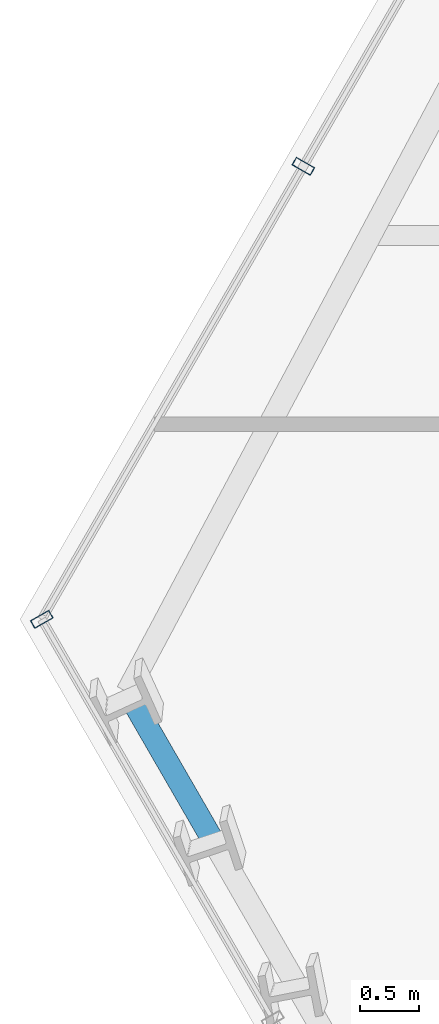
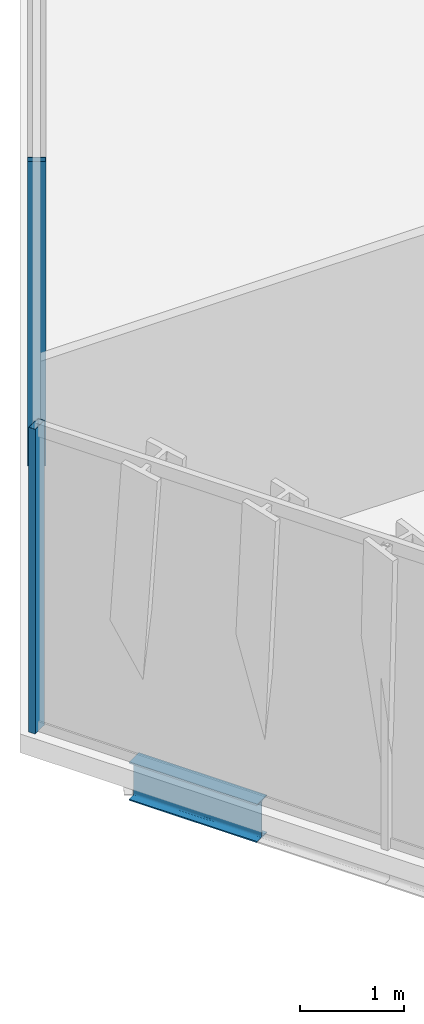
# One storey, part 5 of 31: 2 members, 1 beam, 2 elements without a shape of their own.
"""IFC4 building model written with IfcOpenShell, lengths in metres."""

from ifc_helpers import new_model, si_unit, direction, frame, origin, origin_2d, place, context, subcontext, project, spatial, hollow_rectangle, i_section, extrude, material, layer, layer_set, material_profile, profile_set, type_object, element, aggregate, save


model = new_model("IFC4")

# Units and contexts
model_context = context("Model", 3, precision=1e-05, world=origin(), true_north=direction((0.0, 1.0)))
body_context = subcontext(model_context, "Body", "Model", "MODEL_VIEW")
ifc_project = project(units=[si_unit("LENGTHUNIT", "METRE"), si_unit("AREAUNIT", "SQUARE_METRE"), si_unit("VOLUMEUNIT", "CUBIC_METRE"), si_unit("PLANEANGLEUNIT", "RADIAN"), si_unit("MASSUNIT", "GRAM", prefix="KILO")], contexts=[model_context])

# Site, building, storey
site_placement = place(None, origin())
site = spatial("IfcSite", under=ifc_project, at=site_placement, CompositionType="ELEMENT")
building_placement = place(site_placement, origin())
building = spatial("IfcBuilding", under=site, at=building_placement, Name="Ndaravel Arena Tower", CompositionType="ELEMENT")
storey_placement = place(building_placement, frame((0.0, 0.0, 146.0)))
storey = spatial("IfcBuildingStorey", under=building, at=storey_placement, Name="L34", CompositionType="ELEMENT", Elevation=146.0)

# Beam
ifc_material_1 = material(Name="Steel S355", Category="steel")
ifc_material_profile_1 = material_profile(ifc_material_1, i_section(OverallWidth=0.18994140625, OverallDepth=0.449951171875, WebThickness=0.009521484375, FlangeThickness=0.0146484375, FilletRadius=0.02099609375, at=origin_2d()), Name="IPE 450")
ifc_profile_set_1 = profile_set([ifc_material_profile_1], Name="Steel S355")
beam_type = type_object("IfcBeamType", Name="BM-SPAN-IPE450", PredefinedType="SPANDREL", material=ifc_profile_set_1)
beam_placement = place(storey_placement, frame((19.0859375, 14.726806640625, -0.445068359375), z_axis=(0.499920397431, -0.866071357471, 0.0), x_axis=(0.866071357471, 0.499920397431, 0.0)))
element("IfcBeam", 1, at=beam_placement, inside=storey, type_object=beam_type, Name="L34 Perimeter Spandrel Beam SP-20", PredefinedType="SPANDREL", context=body_context, shape_type="SweptSolid", body=[
    extrude(i_section(OverallWidth=0.18994140625, OverallDepth=0.449951171875, WebThickness=0.009521484375, FlangeThickness=0.0146484375, FilletRadius=0.02099609375, at=origin_2d()), origin(), (0.0, 0.0, 1.0), 1.423583984375),
])

# Curtain wall, member
ifc_material_2 = material(Name="Aluminium", Category="aluminium")
ifc_layer_1 = layer(ifc_material_2, 0.179931640625)
ifc_layer_set_1 = layer_set([ifc_layer_1], Name="Aluminium")
curtain_wall_type_1 = type_object("IfcCurtainWallType", Name="CW-SYS-03", PredefinedType="NOTDEFINED", material=ifc_layer_set_1)
curtain_wall_1_placement = place(storey_placement, origin())
curtain_wall_1 = element("IfcCurtainWall", 2, at=curtain_wall_1_placement, inside=storey, type_object=curtain_wall_type_1, Name="L34 Faceted Crystal Curtain Wall CW-L34-E05", PredefinedType="NOTDEFINED")
ifc_material_3 = material(Name="Aluminium", Category="aluminium")
ifc_material_profile_2 = material_profile(ifc_material_3, hollow_rectangle(XDim=0.074951171875, YDim=0.179931640625, WallThickness=0.00390625, at=origin_2d()), Name="CW MULLION 75x180x4")
ifc_profile_set_2 = profile_set([ifc_material_profile_2], Name="Aluminium")
member_type = type_object("IfcMemberType", Name="MEM-CW-MUL180", PredefinedType="MULLION", material=ifc_profile_set_2)
member_1_placement = place(storey_placement, frame((20.58056640625, 19.1884765625, 0.0), z_axis=(0.0, 0.0, 1.0), x_axis=(-0.5, -0.866025403784, 0.0)))
member_1 = element("IfcMember", 3, at=member_1_placement, type_object=member_type, Name="CW-L34-E05 Mullion 07", PredefinedType="MULLION", context=body_context, shape_type="SweptSolid", body=[
    extrude(hollow_rectangle(XDim=0.074951171875, YDim=0.179931640625, WallThickness=0.00390625, at=origin_2d()), origin(), (0.0, 0.0, 1.0), 3.580078125),
])
aggregate(curtain_wall_1, [member_1])

ifc_material_4 = material(Name="Aluminium", Category="aluminium")
ifc_layer_2 = layer(ifc_material_4, 0.179931640625)
ifc_layer_set_2 = layer_set([ifc_layer_2], Name="Aluminium")
curtain_wall_type_2 = type_object("IfcCurtainWallType", Name="CW-SYS-02", PredefinedType="NOTDEFINED", material=ifc_layer_set_2)
curtain_wall_2_placement = place(storey_placement, origin())
curtain_wall_2 = element("IfcCurtainWall", 4, at=curtain_wall_2_placement, inside=storey, type_object=curtain_wall_type_2, Name="L34 Faceted Crystal Curtain Wall CW-L34-E06", PredefinedType="NOTDEFINED")
member_2_placement = place(storey_placement, frame((18.360595703125, 15.34326171875, 0.0), z_axis=(0.0, 0.0, 1.0), x_axis=(0.5, -0.866025403784, 0.0)))
member_2 = element("IfcMember", 5, at=member_2_placement, type_object=member_type, Name="CW-L34-E06 Mullion 00", PredefinedType="MULLION", context=body_context, shape_type="SweptSolid", body=[
    extrude(hollow_rectangle(XDim=0.074951171875, YDim=0.179931640625, WallThickness=0.00390625, at=origin_2d()), origin(), (0.0, 0.0, 1.0), 3.580078125),
])
aggregate(curtain_wall_2, [member_2])

save(model, "model.ifc")
